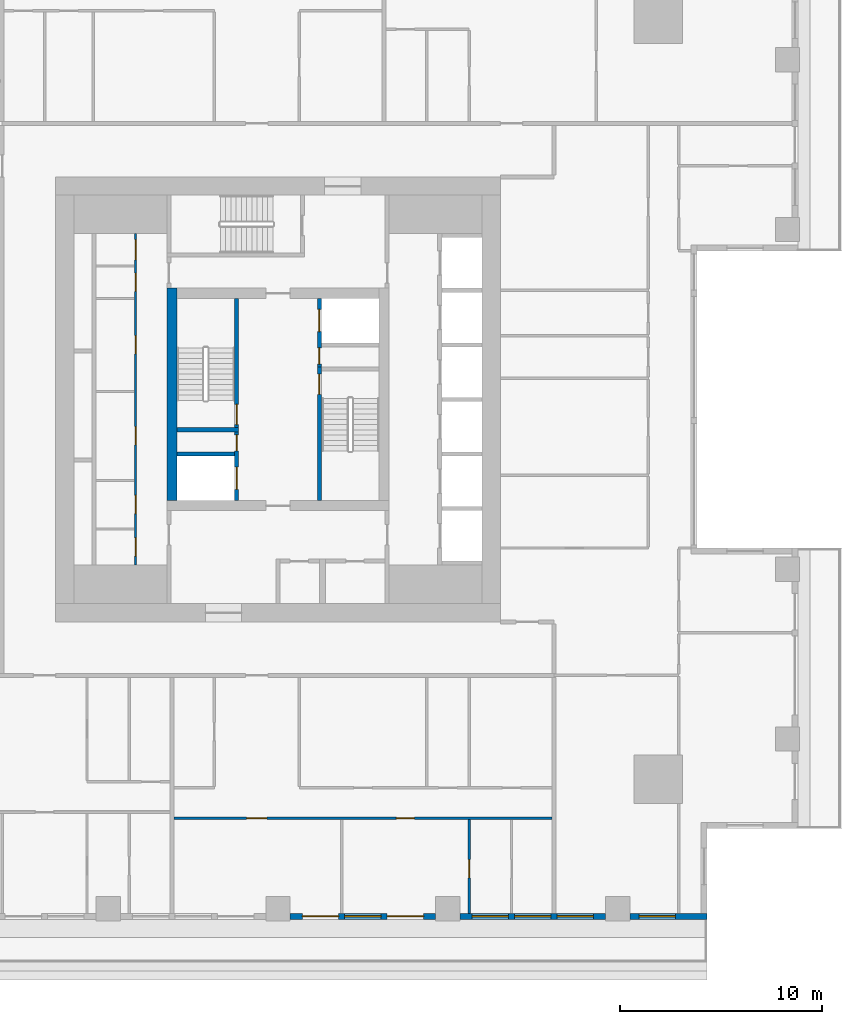
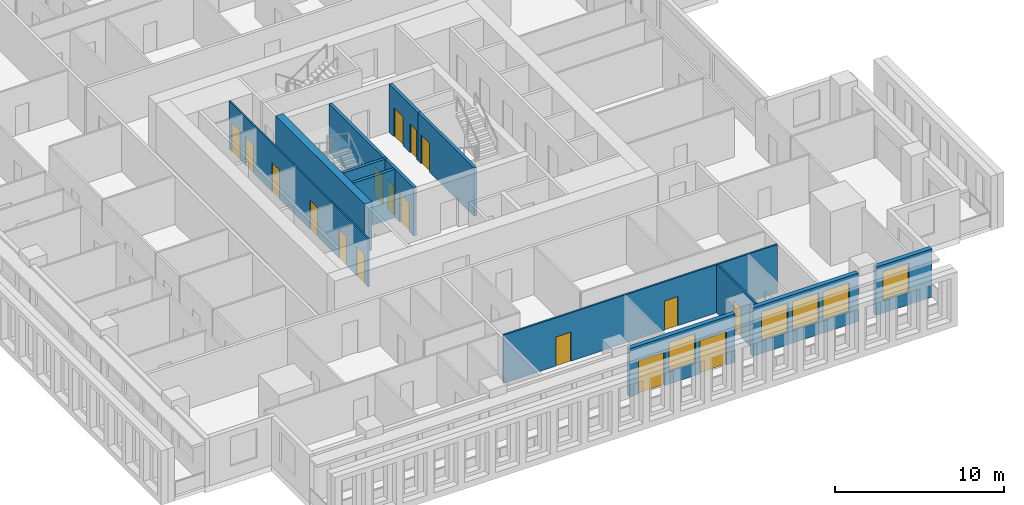
# One storey, part 4 of 16: 17 doors, 13 walls, 5 windows, 22 openings.
"""IFC4 building model written with IfcOpenShell, lengths in metres."""

from ifc_helpers import new_model, si_unit, direction, frame, frame_2d, origin, place, context, subcontext, project, spatial, rectangle, extrude, material, layer, layer_set, type_object, element, fill, save


model = new_model("IFC4")

# Units and contexts
model_context = context("Model", 3, precision=1e-05, world=origin(), true_north=direction((0.0, 1.0)))
body_context = subcontext(model_context, "Body", "Model", "MODEL_VIEW")
ifc_project = project(units=[si_unit("LENGTHUNIT", "METRE"), si_unit("AREAUNIT", "SQUARE_METRE"), si_unit("VOLUMEUNIT", "CUBIC_METRE"), si_unit("PLANEANGLEUNIT", "RADIAN"), si_unit("MASSUNIT", "GRAM", prefix="KILO")], contexts=[model_context])

# Site, building, storey
site_placement = place(None, origin())
site = spatial("IfcSite", under=ifc_project, at=site_placement, CompositionType="ELEMENT")
building_placement = place(site_placement, origin())
building = spatial("IfcBuilding", under=site, at=building_placement, Name="Khepri Terraces", CompositionType="ELEMENT")
storey_placement = place(building_placement, frame((0.0, 0.0, 207.89990234375)))
storey = spatial("IfcBuildingStorey", under=building, at=storey_placement, Name="L49", CompositionType="ELEMENT", Elevation=207.89990234375)

# Wall, opening, door
ifc_material_1 = material(Name="Concrete C50/60", Category="concrete")
ifc_layer_1 = layer(ifc_material_1, 0.199951171875, Name="Concrete C50/60", Category="concrete")
ifc_layer_set_1 = layer_set([ifc_layer_1], Name="Concrete C50/60")
wall_type_1 = type_object("IfcWallType", Name="Core wall 200 C50/60", PredefinedType="SHEAR", material=ifc_layer_set_1)
wall_1_placement = place(storey_placement, frame((2.050048828125, -5.0, 0.0), z_axis=(0.0, 0.0, 1.0), x_axis=(0.0, 1.0, 0.0)))
wall_1 = element("IfcWall", 1, at=wall_1_placement, inside=storey, type_object=wall_type_1, Name="Core wall ST01 L49", PredefinedType="SHEAR", context=body_context, shape_type="SweptSolid", body=[
    extrude(rectangle(XDim=6.60009765625, YDim=0.199951171875, at=frame_2d((3.300048828125, 0.0))), origin(), (0.0, 0.0, 1.0), 3.47998046875),
])
opening_1_placement = place(wall_1_placement, frame((5.25, 0.0, 0.0)))
opening_1 = element("IfcOpeningElement", 2, at=opening_1_placement, cuts=wall_1, Name="Opening L49-C10", PredefinedType="OPENING", context=body_context, shape_type="SweptSolid", body=[
    extrude(rectangle(XDim=1.0, YDim=2.10009765625, at=frame_2d((0.5, 1.050048828125))), frame((0.0, 0.10986328125, 0.0), z_axis=(0.0, -1.0, 0.0), x_axis=(1.0, 0.0, 0.0)), (0.0, 0.0, 1.0), 0.219970703125),
])
ifc_material_2 = material(Name="Painted steel", Category="steel")
door_type_1 = type_object("IfcDoorType", Name="DR-CORE-STAIR-1000", OperationType="NOTDEFINED", PredefinedType="DOOR", material=ifc_material_2)
door_1_placement = place(opening_1_placement, frame((1.0, 0.0, 0.0), z_axis=(0.0, 0.0, 1.0), x_axis=(-1.0, 0.0, 0.0)))
door_1 = element("IfcDoor", 3, at=door_1_placement, inside=storey, type_object=door_type_1, Name="Stair door L49-C10", OperationType="SINGLE_SWING_LEFT", OverallHeight=2.10009765625, OverallWidth=1.0, PredefinedType="DOOR", context=body_context, shape_type="SweptSolid", body=[
    extrude(rectangle(XDim=1.0, YDim=2.10009765625, at=frame_2d((0.5, 1.050048828125))), frame((0.0, 0.02490234375, 0.0), z_axis=(0.0, -1.0, 0.0), x_axis=(1.0, 0.0, 0.0)), (0.0, 0.0, 1.0), 0.050048828125),
])
fill(opening_1, door_1)

# Wall
wall_2_placement = place(storey_placement, frame((-5.0, -1.5, 0.0), z_axis=(0.0, 0.0, 1.0), x_axis=(1.0, 0.0, 0.0)))
element("IfcWall", 4, at=wall_2_placement, inside=storey, type_object=wall_type_1, Name="Core wall ST02 L49", PredefinedType="SHEAR", context=body_context, shape_type="SweptSolid", body=[
    extrude(rectangle(XDim=3.050048828125, YDim=0.199951171875, at=frame_2d((1.52490234375, 0.0))), origin(), (0.0, 0.0, 1.0), 3.47998046875),
])

# Wall, opening, door
wall_3_placement = place(storey_placement, frame((-2.050048828125, -1.39990234375, 0.0), z_axis=(0.0, 0.0, 1.0), x_axis=(0.0, 1.0, 0.0)))
wall_3 = element("IfcWall", 5, at=wall_3_placement, inside=storey, type_object=wall_type_1, Name="Core wall ST03 L49", PredefinedType="SHEAR", context=body_context, shape_type="SweptSolid", body=[
    extrude(rectangle(XDim=6.39990234375, YDim=0.199951171875, at=frame_2d((3.199951171875, 0.0))), origin(), (0.0, 0.0, 1.0), 3.47998046875),
])
opening_2_placement = place(wall_3_placement, frame((0.14990234375, 0.0, 0.0)))
opening_2 = element("IfcOpeningElement", 6, at=opening_2_placement, cuts=wall_3, Name="Opening L49-C09", PredefinedType="OPENING", context=body_context, shape_type="SweptSolid", body=[
    extrude(rectangle(XDim=1.0, YDim=2.10009765625, at=frame_2d((0.5, 1.050048828125))), frame((0.0, 0.10986328125, 0.0), z_axis=(0.0, -1.0, 0.0), x_axis=(1.0, 0.0, 0.0)), (0.0, 0.0, 1.0), 0.219970703125),
])
door_2_placement = place(opening_2_placement, origin())
door_2 = element("IfcDoor", 7, at=door_2_placement, inside=storey, type_object=door_type_1, Name="Stair door L49-C09", OperationType="SINGLE_SWING_LEFT", OverallHeight=2.10009765625, OverallWidth=1.0, PredefinedType="DOOR", context=body_context, shape_type="SweptSolid", body=[
    extrude(rectangle(XDim=1.0, YDim=2.10009765625, at=frame_2d((0.5, 1.050048828125))), frame((0.0, 0.02490234375, 0.0), z_axis=(0.0, -1.0, 0.0), x_axis=(1.0, 0.0, 0.0)), (0.0, 0.0, 1.0), 0.050048828125),
])
fill(opening_2, door_2)

# Wall, openings, doors
wall_4_placement = place(storey_placement, frame((-2.050048828125, -5.0, 0.0), z_axis=(0.0, 0.0, 1.0), x_axis=(0.0, 1.0, 0.0)))
wall_4 = element("IfcWall", 8, at=wall_4_placement, inside=storey, type_object=wall_type_1, Name="Core wall SH05 L49", PredefinedType="SHEAR", context=body_context, shape_type="SweptSolid", body=[
    extrude(rectangle(XDim=3.39990234375, YDim=0.199951171875, at=frame_2d((1.699951171875, 0.0))), origin(), (0.0, 0.0, 1.0), 3.47998046875),
])
opening_3_placement = place(wall_4_placement, frame((0.550048828125, 0.0, 0.0)))
opening_3 = element("IfcOpeningElement", 9, at=opening_3_placement, cuts=wall_4, Name="Opening L49-C08", PredefinedType="OPENING", context=body_context, shape_type="SweptSolid", body=[
    extrude(rectangle(XDim=1.10009765625, YDim=2.10009765625, at=frame_2d((0.550048828125, 1.050048828125))), frame((0.0, 0.10986328125, 0.0), z_axis=(0.0, -1.0, 0.0), x_axis=(1.0, 0.0, 0.0)), (0.0, 0.0, 1.0), 0.219970703125),
])
opening_4_placement = place(wall_4_placement, frame((2.449951171875, 0.0, 0.0)))
opening_4 = element("IfcOpeningElement", 10, at=opening_4_placement, cuts=wall_4, Name="Opening L49-C12", PredefinedType="OPENING", context=body_context, shape_type="SweptSolid", body=[
    extrude(rectangle(XDim=0.800048828125, YDim=2.10009765625, at=frame_2d((0.39990234375, 1.050048828125))), frame((0.0, 0.10986328125, 0.0), z_axis=(0.0, -1.0, 0.0), x_axis=(1.0, 0.0, 0.0)), (0.0, 0.0, 1.0), 0.219970703125),
])
ifc_material_3 = material(Name="Stainless steel 304", Category="steel")
door_type_2 = type_object("IfcDoorType", Name="DR-CORE-FF-LANDING-1100", OperationType="NOTDEFINED", PredefinedType="DOOR", material=ifc_material_3)
door_3_placement = place(opening_3_placement, origin())
door_3 = element("IfcDoor", 11, at=door_3_placement, inside=storey, type_object=door_type_2, Name="Firefighting lift landing door L49-C08", OperationType="SLIDING_TO_LEFT", OverallHeight=2.10009765625, OverallWidth=1.10009765625, PredefinedType="DOOR", context=body_context, shape_type="SweptSolid", body=[
    extrude(rectangle(XDim=1.10009765625, YDim=2.10009765625, at=frame_2d((0.550048828125, 1.050048828125))), frame((0.0, 0.02490234375, 0.0), z_axis=(0.0, -1.0, 0.0), x_axis=(1.0, 0.0, 0.0)), (0.0, 0.0, 1.0), 0.050048828125),
])
fill(opening_3, door_3)
door_type_3 = type_object("IfcDoorType", Name="DR-CORE-RISER-800", OperationType="NOTDEFINED", PredefinedType="DOOR", material=ifc_material_2)
door_4_placement = place(opening_4_placement, origin())
door_4 = element("IfcDoor", 12, at=door_4_placement, inside=storey, type_object=door_type_3, Name="Riser door L49-C12", OperationType="SINGLE_SWING_RIGHT", OverallHeight=2.10009765625, OverallWidth=0.800048828125, PredefinedType="DOOR", context=body_context, shape_type="SweptSolid", body=[
    extrude(rectangle(XDim=0.800048828125, YDim=2.10009765625, at=frame_2d((0.39990234375, 1.050048828125))), frame((0.0, 0.02490234375, 0.0), z_axis=(0.0, -1.0, 0.0), x_axis=(1.0, 0.0, 0.0)), (0.0, 0.0, 1.0), 0.050048828125),
])
fill(opening_4, door_4)

# Wall
wall_5_placement = place(storey_placement, frame((-5.0, -2.699951171875, 0.0), z_axis=(0.0, 0.0, 1.0), x_axis=(1.0, 0.0, 0.0)))
element("IfcWall", 13, at=wall_5_placement, inside=storey, type_object=wall_type_1, Name="Core wall SH07 L49", PredefinedType="SHEAR", context=body_context, shape_type="SweptSolid", body=[
    extrude(rectangle(XDim=2.85009765625, YDim=0.199951171875, at=frame_2d((1.425048828125, 0.0))), origin(), (0.0, 0.0, 1.0), 3.47998046875),
])

# Wall, openings, doors
wall_6_placement = place(storey_placement, frame((2.050048828125, 1.60009765625, 0.0), z_axis=(0.0, 0.0, 1.0), x_axis=(0.0, 1.0, 0.0)))
wall_6 = element("IfcWall", 14, at=wall_6_placement, inside=storey, type_object=wall_type_1, Name="Core wall SH10 L49", PredefinedType="SHEAR", context=body_context, shape_type="SweptSolid", body=[
    extrude(rectangle(XDim=3.39990234375, YDim=0.199951171875, at=frame_2d((1.699951171875, 0.0))), origin(), (0.0, 0.0, 1.0), 3.47998046875),
])
opening_5_placement = place(wall_6_placement, frame((1.75, 0.0, 0.0)))
opening_5 = element("IfcOpeningElement", 15, at=opening_5_placement, cuts=wall_6, Name="Opening L49-C07", PredefinedType="OPENING", context=body_context, shape_type="SweptSolid", body=[
    extrude(rectangle(XDim=1.10009765625, YDim=2.10009765625, at=frame_2d((0.550048828125, 1.050048828125))), frame((0.0, 0.10986328125, 0.0), z_axis=(0.0, -1.0, 0.0), x_axis=(1.0, 0.0, 0.0)), (0.0, 0.0, 1.0), 0.219970703125),
])
opening_6_placement = place(wall_6_placement, frame((0.14990234375, 0.0, 0.0)))
opening_6 = element("IfcOpeningElement", 16, at=opening_6_placement, cuts=wall_6, Name="Opening L49-C11", PredefinedType="OPENING", context=body_context, shape_type="SweptSolid", body=[
    extrude(rectangle(XDim=0.800048828125, YDim=2.10009765625, at=frame_2d((0.39990234375, 1.050048828125))), frame((0.0, 0.10986328125, 0.0), z_axis=(0.0, -1.0, 0.0), x_axis=(1.0, 0.0, 0.0)), (0.0, 0.0, 1.0), 0.219970703125),
])
door_5_placement = place(opening_5_placement, origin())
door_5 = element("IfcDoor", 17, at=door_5_placement, inside=storey, type_object=door_type_2, Name="Firefighting lift landing door L49-C07", OperationType="SLIDING_TO_LEFT", OverallHeight=2.10009765625, OverallWidth=1.10009765625, PredefinedType="DOOR", context=body_context, shape_type="SweptSolid", body=[
    extrude(rectangle(XDim=1.10009765625, YDim=2.10009765625, at=frame_2d((0.550048828125, 1.050048828125))), frame((0.0, 0.02490234375, 0.0), z_axis=(0.0, -1.0, 0.0), x_axis=(1.0, 0.0, 0.0)), (0.0, 0.0, 1.0), 0.050048828125),
])
fill(opening_5, door_5)
door_6_placement = place(opening_6_placement, frame((0.800048828125, 0.0, 0.0), z_axis=(0.0, 0.0, 1.0), x_axis=(-1.0, 0.0, 0.0)))
door_6 = element("IfcDoor", 18, at=door_6_placement, inside=storey, type_object=door_type_3, Name="Riser door L49-C11", OperationType="SINGLE_SWING_RIGHT", OverallHeight=2.10009765625, OverallWidth=0.800048828125, PredefinedType="DOOR", context=body_context, shape_type="SweptSolid", body=[
    extrude(rectangle(XDim=0.800048828125, YDim=2.10009765625, at=frame_2d((0.39990234375, 1.050048828125))), frame((0.0, 0.02490234375, 0.0), z_axis=(0.0, -1.0, 0.0), x_axis=(1.0, 0.0, 0.0)), (0.0, 0.0, 1.0), 0.050048828125),
])
fill(opening_6, door_6)

# Wall
ifc_layer_2 = layer(ifc_material_1, 0.5, Name="Concrete C50/60", Category="concrete")
ifc_layer_set_2 = layer_set([ifc_layer_2], Name="Concrete C50/60")
wall_type_2 = type_object("IfcWallType", Name="Core wall 500 C50/60", PredefinedType="SHEAR", material=ifc_layer_set_2)
wall_7_placement = place(storey_placement, frame((-5.25, -5.0, 0.0), z_axis=(0.0, 0.0, 1.0), x_axis=(0.0, 1.0, 0.0)))
element("IfcWall", 19, at=wall_7_placement, inside=storey, type_object=wall_type_2, Name="Core wall BX02 L49", PredefinedType="SHEAR", context=body_context, shape_type="SweptSolid", body=[
    extrude(rectangle(XDim=10.5, YDim=0.5, at=frame_2d((5.25, 0.0))), origin(), (0.0, 0.0, 1.0), 3.47998046875),
])

# Wall, openings, doors
ifc_material_4 = material(Name="Fire-rated gypsum board partition")
ifc_layer_3 = layer(ifc_material_4, 0.10009765625, Name="Fire-rated gypsum board partition")
ifc_layer_set_3 = layer_set([ifc_layer_3], Name="Fire-rated gypsum board partition")
wall_type_3 = type_object("IfcWallType", Name="WL-CORE-PART-100", PredefinedType="PARTITIONING", material=ifc_layer_set_3)
wall_8_placement = place(storey_placement, frame((-7.050048828125, -8.199951171875, 0.0), z_axis=(0.0, 0.0, 1.0), x_axis=(0.0, 1.0, 0.0)))
wall_8 = element("IfcWall", 20, at=wall_8_placement, inside=storey, type_object=wall_type_3, Name="Core partition PT05 L49", PredefinedType="PARTITIONING", context=body_context, shape_type="SweptSolid", body=[
    extrude(rectangle(XDim=16.39990234375, YDim=0.10009765625, at=frame_2d((8.199951171875, 0.0))), origin(), (0.0, 0.0, 1.0), 3.47998046875),
])
opening_7_placement = place(wall_8_placement, frame((0.449951171875, 0.0, 0.0)))
opening_7 = element("IfcOpeningElement", 21, at=opening_7_placement, cuts=wall_8, Name="Opening L49-C24", PredefinedType="OPENING", context=body_context, shape_type="SweptSolid", body=[
    extrude(rectangle(XDim=0.89990234375, YDim=2.10009765625, at=frame_2d((0.449951171875, 1.050048828125))), frame((0.0, 0.06005859375, 0.0), z_axis=(0.0, -1.0, 0.0), x_axis=(1.0, 0.0, 0.0)), (0.0, 0.0, 1.0), 0.1201171875),
])
opening_8_placement = place(wall_8_placement, frame((2.550048828125, 0.0, 0.0)))
opening_8 = element("IfcOpeningElement", 22, at=opening_8_placement, cuts=wall_8, Name="Opening L49-C25", PredefinedType="OPENING", context=body_context, shape_type="SweptSolid", body=[
    extrude(rectangle(XDim=0.89990234375, YDim=2.10009765625, at=frame_2d((0.449951171875, 1.050048828125))), frame((0.0, 0.06005859375, 0.0), z_axis=(0.0, -1.0, 0.0), x_axis=(1.0, 0.0, 0.0)), (0.0, 0.0, 1.0), 0.1201171875),
])
opening_9_placement = place(wall_8_placement, frame((5.949951171875, 0.0, 0.0)))
opening_9 = element("IfcOpeningElement", 23, at=opening_9_placement, cuts=wall_8, Name="Opening L49-C26", PredefinedType="OPENING", context=body_context, shape_type="SweptSolid", body=[
    extrude(rectangle(XDim=0.89990234375, YDim=2.10009765625, at=frame_2d((0.449951171875, 1.050048828125))), frame((0.0, 0.06005859375, 0.0), z_axis=(0.0, -1.0, 0.0), x_axis=(1.0, 0.0, 0.0)), (0.0, 0.0, 1.0), 0.1201171875),
])
opening_10_placement = place(wall_8_placement, frame((10.449951171875, 0.0, 0.0)))
opening_10 = element("IfcOpeningElement", 24, at=opening_10_placement, cuts=wall_8, Name="Opening L49-C27", PredefinedType="OPENING", context=body_context, shape_type="SweptSolid", body=[
    extrude(rectangle(XDim=0.89990234375, YDim=2.10009765625, at=frame_2d((0.449951171875, 1.050048828125))), frame((0.0, 0.06005859375, 0.0), z_axis=(0.0, -1.0, 0.0), x_axis=(1.0, 0.0, 0.0)), (0.0, 0.0, 1.0), 0.1201171875),
])
opening_11_placement = place(wall_8_placement, frame((13.550048828125, 0.0, 0.0)))
opening_11 = element("IfcOpeningElement", 25, at=opening_11_placement, cuts=wall_8, Name="Opening L49-C28", PredefinedType="OPENING", context=body_context, shape_type="SweptSolid", body=[
    extrude(rectangle(XDim=0.89990234375, YDim=2.10009765625, at=frame_2d((0.449951171875, 1.050048828125))), frame((0.0, 0.06005859375, 0.0), z_axis=(0.0, -1.0, 0.0), x_axis=(1.0, 0.0, 0.0)), (0.0, 0.0, 1.0), 0.1201171875),
])
opening_12_placement = place(wall_8_placement, frame((15.10009765625, 0.0, 0.0)))
opening_12 = element("IfcOpeningElement", 26, at=opening_12_placement, cuts=wall_8, Name="Opening L49-C29", PredefinedType="OPENING", context=body_context, shape_type="SweptSolid", body=[
    extrude(rectangle(XDim=1.0, YDim=2.10009765625, at=frame_2d((0.5, 1.050048828125))), frame((0.0, 0.06005859375, 0.0), z_axis=(0.0, -1.0, 0.0), x_axis=(1.0, 0.0, 0.0)), (0.0, 0.0, 1.0), 0.1201171875),
])
door_type_4 = type_object("IfcDoorType", Name="DR-CORE-SERVICE-900", OperationType="NOTDEFINED", PredefinedType="DOOR", material=ifc_material_2)
door_7_placement = place(opening_7_placement, origin())
door_7 = element("IfcDoor", 27, at=door_7_placement, inside=storey, type_object=door_type_4, Name="Service room door L49-C24", OperationType="SINGLE_SWING_LEFT", OverallHeight=2.10009765625, OverallWidth=0.89990234375, PredefinedType="DOOR", context=body_context, shape_type="SweptSolid", body=[
    extrude(rectangle(XDim=0.89990234375, YDim=2.10009765625, at=frame_2d((0.449951171875, 1.050048828125))), frame((0.0, 0.02490234375, 0.0), z_axis=(0.0, -1.0, 0.0), x_axis=(1.0, 0.0, 0.0)), (0.0, 0.0, 1.0), 0.050048828125),
])
fill(opening_7, door_7)
door_8_placement = place(opening_8_placement, origin())
door_8 = element("IfcDoor", 28, at=door_8_placement, inside=storey, type_object=door_type_4, Name="Service room door L49-C25", OperationType="SINGLE_SWING_LEFT", OverallHeight=2.10009765625, OverallWidth=0.89990234375, PredefinedType="DOOR", context=body_context, shape_type="SweptSolid", body=[
    extrude(rectangle(XDim=0.89990234375, YDim=2.10009765625, at=frame_2d((0.449951171875, 1.050048828125))), frame((0.0, 0.02490234375, 0.0), z_axis=(0.0, -1.0, 0.0), x_axis=(1.0, 0.0, 0.0)), (0.0, 0.0, 1.0), 0.050048828125),
])
fill(opening_8, door_8)
door_9_placement = place(opening_9_placement, origin())
door_9 = element("IfcDoor", 29, at=door_9_placement, inside=storey, type_object=door_type_4, Name="Service room door L49-C26", OperationType="SINGLE_SWING_LEFT", OverallHeight=2.10009765625, OverallWidth=0.89990234375, PredefinedType="DOOR", context=body_context, shape_type="SweptSolid", body=[
    extrude(rectangle(XDim=0.89990234375, YDim=2.10009765625, at=frame_2d((0.449951171875, 1.050048828125))), frame((0.0, 0.02490234375, 0.0), z_axis=(0.0, -1.0, 0.0), x_axis=(1.0, 0.0, 0.0)), (0.0, 0.0, 1.0), 0.050048828125),
])
fill(opening_9, door_9)
door_10_placement = place(opening_10_placement, origin())
door_10 = element("IfcDoor", 30, at=door_10_placement, inside=storey, type_object=door_type_4, Name="Service room door L49-C27", OperationType="SINGLE_SWING_RIGHT", OverallHeight=2.10009765625, OverallWidth=0.89990234375, PredefinedType="DOOR", context=body_context, shape_type="SweptSolid", body=[
    extrude(rectangle(XDim=0.89990234375, YDim=2.10009765625, at=frame_2d((0.449951171875, 1.050048828125))), frame((0.0, 0.02490234375, 0.0), z_axis=(0.0, -1.0, 0.0), x_axis=(1.0, 0.0, 0.0)), (0.0, 0.0, 1.0), 0.050048828125),
])
fill(opening_10, door_10)
door_11_placement = place(opening_11_placement, origin())
door_11 = element("IfcDoor", 31, at=door_11_placement, inside=storey, type_object=door_type_4, Name="Service room door L49-C28", OperationType="SINGLE_SWING_RIGHT", OverallHeight=2.10009765625, OverallWidth=0.89990234375, PredefinedType="DOOR", context=body_context, shape_type="SweptSolid", body=[
    extrude(rectangle(XDim=0.89990234375, YDim=2.10009765625, at=frame_2d((0.449951171875, 1.050048828125))), frame((0.0, 0.02490234375, 0.0), z_axis=(0.0, -1.0, 0.0), x_axis=(1.0, 0.0, 0.0)), (0.0, 0.0, 1.0), 0.050048828125),
])
fill(opening_11, door_11)
ifc_material_5 = material(Name="Timber veneer", Category="wood")
door_type_5 = type_object("IfcDoorType", Name="DR-CORE-WC-1000", OperationType="NOTDEFINED", PredefinedType="DOOR", material=ifc_material_5)
door_12_placement = place(opening_12_placement, origin())
door_12 = element("IfcDoor", 32, at=door_12_placement, inside=storey, type_object=door_type_5, Name="WC door L49-C29", OperationType="SINGLE_SWING_RIGHT", OverallHeight=2.10009765625, OverallWidth=1.0, PredefinedType="DOOR", context=body_context, shape_type="SweptSolid", body=[
    extrude(rectangle(XDim=1.0, YDim=2.10009765625, at=frame_2d((0.5, 1.050048828125))), frame((0.0, 0.02490234375, 0.0), z_axis=(0.0, -1.0, 0.0), x_axis=(1.0, 0.0, 0.0)), (0.0, 0.0, 1.0), 0.050048828125),
])
fill(opening_12, door_12)

# Wall, openings, doors, window
ifc_material_6 = material(Name="Precast concrete C50/60 warm stone", Category="masonry")
ifc_layer_4 = layer(ifc_material_6, 0.300048828125, Name="Precast concrete C50/60 warm stone", Category="masonry")
ifc_layer_set_4 = layer_set([ifc_layer_4], Name="Precast concrete C50/60 warm stone")
wall_type_4 = type_object("IfcWallType", Name="WL-EXT-PRECAST-300", PredefinedType="STANDARD", material=ifc_layer_set_4)
wall_9_placement = place(storey_placement, frame((0.60009765625, -25.570068359375, 0.0), z_axis=(0.0, 0.0, 1.0), x_axis=(1.0, 0.0, 0.0)))
wall_9 = element("IfcWall", 33, at=wall_9_placement, inside=storey, type_object=wall_type_4, Name="External wall L49 S", PredefinedType="STANDARD", context=body_context, shape_type="SweptSolid", body=[
    extrude(rectangle(XDim=7.199951171875, YDim=0.300048828125, at=frame_2d((3.60009765625, 0.0))), origin(), (0.0, 0.0, 1.0), 3.47998046875),
])
opening_13_placement = place(wall_9_placement, frame((0.60009765625, 0.0, 0.0)))
opening_13 = element("IfcOpeningElement", 34, at=opening_13_placement, cuts=wall_9, Name="Opening ED-L49-17", PredefinedType="OPENING", context=body_context, shape_type="SweptSolid", body=[
    extrude(rectangle(XDim=1.800048828125, YDim=2.39990234375, at=frame_2d((0.89990234375, 1.199951171875))), frame((0.0, 0.16015625, 0.0), z_axis=(0.0, -1.0, 0.0), x_axis=(1.0, 0.0, 0.0)), (0.0, 0.0, 1.0), 0.320068359375),
])
opening_14_placement = place(wall_9_placement, frame((2.699951171875, 0.0, 0.89990234375)))
opening_14 = element("IfcOpeningElement", 35, at=opening_14_placement, cuts=wall_9, Name="Opening W1", PredefinedType="OPENING", context=body_context, shape_type="SweptSolid", body=[
    extrude(rectangle(XDim=1.800048828125, YDim=2.10009765625, at=frame_2d((0.89990234375, 1.050048828125))), frame((0.0, 0.16015625, 0.0), z_axis=(0.0, -1.0, 0.0), x_axis=(1.0, 0.0, 0.0)), (0.0, 0.0, 1.0), 0.320068359375),
])
opening_15_placement = place(wall_9_placement, frame((4.800048828125, 0.0, 0.0)))
opening_15 = element("IfcOpeningElement", 36, at=opening_15_placement, cuts=wall_9, Name="Opening ED-L49-18", PredefinedType="OPENING", context=body_context, shape_type="SweptSolid", body=[
    extrude(rectangle(XDim=1.800048828125, YDim=2.39990234375, at=frame_2d((0.89990234375, 1.199951171875))), frame((0.0, 0.16015625, 0.0), z_axis=(0.0, -1.0, 0.0), x_axis=(1.0, 0.0, 0.0)), (0.0, 0.0, 1.0), 0.320068359375),
])
ifc_material_7 = material(Name="Anodised aluminium bronze glazed door", Category="aluminium")
door_type_6 = type_object("IfcDoorType", Name="DR-BAL-SLIDE-1800x2400", OperationType="NOTDEFINED", PredefinedType="DOOR", material=ifc_material_7)
door_13_placement = place(opening_13_placement, origin())
door_13 = element("IfcDoor", 37, at=door_13_placement, inside=storey, type_object=door_type_6, Name="Balcony door L49 S", OperationType="SLIDING_TO_LEFT", OverallHeight=2.39990234375, OverallWidth=1.800048828125, PredefinedType="DOOR", context=body_context, shape_type="SweptSolid", body=[
    extrude(rectangle(XDim=1.800048828125, YDim=2.39990234375, at=frame_2d((0.89990234375, 1.199951171875))), frame((0.0, 0.02490234375, 0.0), z_axis=(0.0, -1.0, 0.0), x_axis=(1.0, 0.0, 0.0)), (0.0, 0.0, 1.0), 0.050048828125),
])
fill(opening_13, door_13)
door_14_placement = place(opening_15_placement, origin())
door_14 = element("IfcDoor", 38, at=door_14_placement, inside=storey, type_object=door_type_6, Name="Balcony door L49 S", OperationType="SLIDING_TO_RIGHT", OverallHeight=2.39990234375, OverallWidth=1.800048828125, PredefinedType="DOOR", context=body_context, shape_type="SweptSolid", body=[
    extrude(rectangle(XDim=1.800048828125, YDim=2.39990234375, at=frame_2d((0.89990234375, 1.199951171875))), frame((0.0, 0.02490234375, 0.0), z_axis=(0.0, -1.0, 0.0), x_axis=(1.0, 0.0, 0.0)), (0.0, 0.0, 1.0), 0.050048828125),
])
fill(opening_15, door_14)
ifc_material_8 = material(Name="Clear glass", Category="glass")
window_type = type_object("IfcWindowType", Name="WIN-RES-1800x2100", PartitioningType="SINGLE_PANEL", PredefinedType="WINDOW", material=ifc_material_8)
window_1_placement = place(opening_14_placement, origin())
window_1 = element("IfcWindow", 39, at=window_1_placement, inside=storey, type_object=window_type, Name="Window L49 S", OverallHeight=2.10009765625, OverallWidth=1.800048828125, PartitioningType="SINGLE_PANEL", PredefinedType="WINDOW", context=body_context, shape_type="SweptSolid", body=[
    extrude(rectangle(XDim=1.800048828125, YDim=2.10009765625, at=frame_2d((0.89990234375, 1.050048828125))), frame((0.0, 0.030029296875, 0.0), z_axis=(0.0, -1.0, 0.0), x_axis=(1.0, 0.0, 0.0)), (0.0, 0.0, 1.0), 0.06005859375),
])
fill(opening_14, window_1)

# Wall, openings, windows
wall_10_placement = place(storey_placement, frame((9.0, -25.570068359375, 0.0), z_axis=(0.0, 0.0, 1.0), x_axis=(1.0, 0.0, 0.0)))
wall_10 = element("IfcWall", 40, at=wall_10_placement, inside=storey, type_object=wall_type_4, Name="External wall L49 S", PredefinedType="STANDARD", context=body_context, shape_type="SweptSolid", body=[
    extrude(rectangle(XDim=7.199951171875, YDim=0.300048828125, at=frame_2d((3.60009765625, 0.0))), origin(), (0.0, 0.0, 1.0), 3.47998046875),
])
opening_16_placement = place(wall_10_placement, frame((0.60009765625, 0.0, 0.89990234375)))
opening_16 = element("IfcOpeningElement", 41, at=opening_16_placement, cuts=wall_10, Name="Opening W1", PredefinedType="OPENING", context=body_context, shape_type="SweptSolid", body=[
    extrude(rectangle(XDim=1.800048828125, YDim=2.10009765625, at=frame_2d((0.89990234375, 1.050048828125))), frame((0.0, 0.16015625, 0.0), z_axis=(0.0, -1.0, 0.0), x_axis=(1.0, 0.0, 0.0)), (0.0, 0.0, 1.0), 0.320068359375),
])
opening_17_placement = place(wall_10_placement, frame((2.699951171875, 0.0, 0.89990234375)))
opening_17 = element("IfcOpeningElement", 42, at=opening_17_placement, cuts=wall_10, Name="Opening W1", PredefinedType="OPENING", context=body_context, shape_type="SweptSolid", body=[
    extrude(rectangle(XDim=1.800048828125, YDim=2.10009765625, at=frame_2d((0.89990234375, 1.050048828125))), frame((0.0, 0.16015625, 0.0), z_axis=(0.0, -1.0, 0.0), x_axis=(1.0, 0.0, 0.0)), (0.0, 0.0, 1.0), 0.320068359375),
])
opening_18_placement = place(wall_10_placement, frame((4.800048828125, 0.0, 0.89990234375)))
opening_18 = element("IfcOpeningElement", 43, at=opening_18_placement, cuts=wall_10, Name="Opening W1", PredefinedType="OPENING", context=body_context, shape_type="SweptSolid", body=[
    extrude(rectangle(XDim=1.800048828125, YDim=2.10009765625, at=frame_2d((0.89990234375, 1.050048828125))), frame((0.0, 0.16015625, 0.0), z_axis=(0.0, -1.0, 0.0), x_axis=(1.0, 0.0, 0.0)), (0.0, 0.0, 1.0), 0.320068359375),
])
window_2_placement = place(opening_16_placement, origin())
window_2 = element("IfcWindow", 44, at=window_2_placement, inside=storey, type_object=window_type, Name="Window L49 S", OverallHeight=2.10009765625, OverallWidth=1.800048828125, PartitioningType="SINGLE_PANEL", PredefinedType="WINDOW", context=body_context, shape_type="SweptSolid", body=[
    extrude(rectangle(XDim=1.800048828125, YDim=2.10009765625, at=frame_2d((0.89990234375, 1.050048828125))), frame((0.0, 0.030029296875, 0.0), z_axis=(0.0, -1.0, 0.0), x_axis=(1.0, 0.0, 0.0)), (0.0, 0.0, 1.0), 0.06005859375),
])
fill(opening_16, window_2)
window_3_placement = place(opening_17_placement, origin())
window_3 = element("IfcWindow", 45, at=window_3_placement, inside=storey, type_object=window_type, Name="Window L49 S", OverallHeight=2.10009765625, OverallWidth=1.800048828125, PartitioningType="SINGLE_PANEL", PredefinedType="WINDOW", context=body_context, shape_type="SweptSolid", body=[
    extrude(rectangle(XDim=1.800048828125, YDim=2.10009765625, at=frame_2d((0.89990234375, 1.050048828125))), frame((0.0, 0.030029296875, 0.0), z_axis=(0.0, -1.0, 0.0), x_axis=(1.0, 0.0, 0.0)), (0.0, 0.0, 1.0), 0.06005859375),
])
fill(opening_17, window_3)
window_4_placement = place(opening_18_placement, origin())
window_4 = element("IfcWindow", 46, at=window_4_placement, inside=storey, type_object=window_type, Name="Window L49 S", OverallHeight=2.10009765625, OverallWidth=1.800048828125, PartitioningType="SINGLE_PANEL", PredefinedType="WINDOW", context=body_context, shape_type="SweptSolid", body=[
    extrude(rectangle(XDim=1.800048828125, YDim=2.10009765625, at=frame_2d((0.89990234375, 1.050048828125))), frame((0.0, 0.030029296875, 0.0), z_axis=(0.0, -1.0, 0.0), x_axis=(1.0, 0.0, 0.0)), (0.0, 0.0, 1.0), 0.06005859375),
])
fill(opening_18, window_4)

# Wall, opening, window
wall_11_placement = place(storey_placement, frame((17.39990234375, -25.570068359375, 0.0), z_axis=(0.0, 0.0, 1.0), x_axis=(1.0, 0.0, 0.0)))
wall_11 = element("IfcWall", 47, at=wall_11_placement, inside=storey, type_object=wall_type_4, Name="External wall L49 S", PredefinedType="STANDARD", context=body_context, shape_type="SweptSolid", body=[
    extrude(rectangle(XDim=3.820068359375, YDim=0.300048828125, at=frame_2d((1.91015625, 0.0))), origin(), (0.0, 0.0, 1.0), 3.47998046875),
])
opening_19_placement = place(wall_11_placement, frame((0.4599609375, 0.0, 0.89990234375)))
opening_19 = element("IfcOpeningElement", 48, at=opening_19_placement, cuts=wall_11, Name="Opening W1", PredefinedType="OPENING", context=body_context, shape_type="SweptSolid", body=[
    extrude(rectangle(XDim=1.800048828125, YDim=2.10009765625, at=frame_2d((0.89990234375, 1.050048828125))), frame((0.0, 0.16015625, 0.0), z_axis=(0.0, -1.0, 0.0), x_axis=(1.0, 0.0, 0.0)), (0.0, 0.0, 1.0), 0.320068359375),
])
window_5_placement = place(opening_19_placement, origin())
window_5 = element("IfcWindow", 49, at=window_5_placement, inside=storey, type_object=window_type, Name="Window L49 S", OverallHeight=2.10009765625, OverallWidth=1.800048828125, PartitioningType="SINGLE_PANEL", PredefinedType="WINDOW", context=body_context, shape_type="SweptSolid", body=[
    extrude(rectangle(XDim=1.800048828125, YDim=2.10009765625, at=frame_2d((0.89990234375, 1.050048828125))), frame((0.0, 0.030029296875, 0.0), z_axis=(0.0, -1.0, 0.0), x_axis=(1.0, 0.0, 0.0)), (0.0, 0.0, 1.0), 0.06005859375),
])
fill(opening_19, window_5)

# Wall, opening, door
ifc_material_9 = material(Name="Gypsum plasterboard partition")
ifc_layer_5 = layer(ifc_material_9, 0.1201171875, Name="Gypsum plasterboard partition")
ifc_layer_set_5 = layer_set([ifc_layer_5], Name="Gypsum plasterboard partition")
wall_type_5 = type_object("IfcWallType", Name="WL-PART-120", PredefinedType="PARTITIONING", material=ifc_layer_set_5)
wall_12_placement = place(storey_placement, frame((9.449951171875, -25.419921875, 0.0), z_axis=(0.0, 0.0, 1.0), x_axis=(0.0, 1.0, 0.0)))
wall_12 = element("IfcWall", 50, at=wall_12_placement, inside=storey, type_object=wall_type_5, Name="Partition P-006 L49", PredefinedType="PARTITIONING", context=body_context, shape_type="SweptSolid", body=[
    extrude(rectangle(XDim=4.639892578125, YDim=0.1201171875, at=frame_2d((2.31982421875, 0.0))), origin(), (0.0, 0.0, 1.0), 3.47998046875),
])
opening_20_placement = place(wall_12_placement, frame((1.75, 0.0, 0.0)))
opening_20 = element("IfcOpeningElement", 51, at=opening_20_placement, cuts=wall_12, Name="Opening D3", PredefinedType="OPENING", context=body_context, shape_type="SweptSolid", body=[
    extrude(rectangle(XDim=0.89990234375, YDim=2.10009765625, at=frame_2d((0.449951171875, 1.050048828125))), frame((0.0, 0.070068359375, 0.0), z_axis=(0.0, -1.0, 0.0), x_axis=(1.0, 0.0, 0.0)), (0.0, 0.0, 1.0), 0.14013671875),
])
ifc_material_10 = material(Name="Timber door leaf", Category="wood")
door_type_7 = type_object("IfcDoorType", Name="DR-INT-900", OperationType="NOTDEFINED", PredefinedType="DOOR", material=ifc_material_10)
door_15_placement = place(opening_20_placement, frame((0.89990234375, 0.0, 0.0), z_axis=(0.0, 0.0, 1.0), x_axis=(-1.0, 0.0, 0.0)))
door_15 = element("IfcDoor", 52, at=door_15_placement, inside=storey, type_object=door_type_7, Name="Door Dressing Room", OperationType="SINGLE_SWING_RIGHT", OverallHeight=2.10009765625, OverallWidth=0.89990234375, PredefinedType="DOOR", context=body_context, shape_type="SweptSolid", body=[
    extrude(rectangle(XDim=0.89990234375, YDim=2.10009765625, at=frame_2d((0.449951171875, 1.050048828125))), frame((0.0, 0.02490234375, 0.0), z_axis=(0.0, -1.0, 0.0), x_axis=(1.0, 0.0, 0.0)), (0.0, 0.0, 1.0), 0.050048828125),
])
fill(opening_20, door_15)

# Wall, openings, doors
wall_13_placement = place(storey_placement, frame((-5.14990234375, -20.719970703125, 0.0), z_axis=(0.0, 0.0, 1.0), x_axis=(1.0, 0.0, 0.0)))
wall_13 = element("IfcWall", 53, at=wall_13_placement, inside=storey, type_object=wall_type_5, Name="Partition P-011 L49", PredefinedType="PARTITIONING", context=body_context, shape_type="SweptSolid", body=[
    extrude(rectangle(XDim=18.699951171875, YDim=0.1201171875, at=frame_2d((9.35009765625, 0.0))), origin(), (0.0, 0.0, 1.0), 3.47998046875),
])
opening_21_placement = place(wall_13_placement, frame((3.60009765625, 0.0, 0.0)))
opening_21 = element("IfcOpeningElement", 54, at=opening_21_placement, cuts=wall_13, Name="Opening D2", PredefinedType="OPENING", context=body_context, shape_type="SweptSolid", body=[
    extrude(rectangle(XDim=1.0, YDim=2.10009765625, at=frame_2d((0.5, 1.050048828125))), frame((0.0, 0.070068359375, 0.0), z_axis=(0.0, -1.0, 0.0), x_axis=(1.0, 0.0, 0.0)), (0.0, 0.0, 1.0), 0.14013671875),
])
opening_22_placement = place(wall_13_placement, frame((11.0, 0.0, 0.0)))
opening_22 = element("IfcOpeningElement", 55, at=opening_22_placement, cuts=wall_13, Name="Opening D3", PredefinedType="OPENING", context=body_context, shape_type="SweptSolid", body=[
    extrude(rectangle(XDim=0.89990234375, YDim=2.10009765625, at=frame_2d((0.449951171875, 1.050048828125))), frame((0.0, 0.070068359375, 0.0), z_axis=(0.0, -1.0, 0.0), x_axis=(1.0, 0.0, 0.0)), (0.0, 0.0, 1.0), 0.14013671875),
])
ifc_material_11 = material(Name="Timber door leaf, living room door", Category="wood")
door_type_8 = type_object("IfcDoorType", Name="DR-INT-1000", OperationType="NOTDEFINED", PredefinedType="DOOR", material=ifc_material_11)
door_16_placement = place(opening_21_placement, frame((1.0, 0.0, 0.0), z_axis=(0.0, 0.0, 1.0), x_axis=(-1.0, 0.0, 0.0)))
door_16 = element("IfcDoor", 56, at=door_16_placement, inside=storey, type_object=door_type_8, Name="Door Living Room", OperationType="SINGLE_SWING_RIGHT", OverallHeight=2.10009765625, OverallWidth=1.0, PredefinedType="DOOR", context=body_context, shape_type="SweptSolid", body=[
    extrude(rectangle(XDim=1.0, YDim=2.10009765625, at=frame_2d((0.5, 1.050048828125))), frame((0.0, 0.02490234375, 0.0), z_axis=(0.0, -1.0, 0.0), x_axis=(1.0, 0.0, 0.0)), (0.0, 0.0, 1.0), 0.050048828125),
])
fill(opening_21, door_16)
door_17_placement = place(opening_22_placement, frame((0.89990234375, 0.0, 0.0), z_axis=(0.0, 0.0, 1.0), x_axis=(-1.0, 0.0, 0.0)))
door_17 = element("IfcDoor", 57, at=door_17_placement, inside=storey, type_object=door_type_7, Name="Door Master Bedroom", OperationType="SINGLE_SWING_LEFT", OverallHeight=2.10009765625, OverallWidth=0.89990234375, PredefinedType="DOOR", context=body_context, shape_type="SweptSolid", body=[
    extrude(rectangle(XDim=0.89990234375, YDim=2.10009765625, at=frame_2d((0.449951171875, 1.050048828125))), frame((0.0, 0.02490234375, 0.0), z_axis=(0.0, -1.0, 0.0), x_axis=(1.0, 0.0, 0.0)), (0.0, 0.0, 1.0), 0.050048828125),
])
fill(opening_22, door_17)

save(model, "model.ifc")
